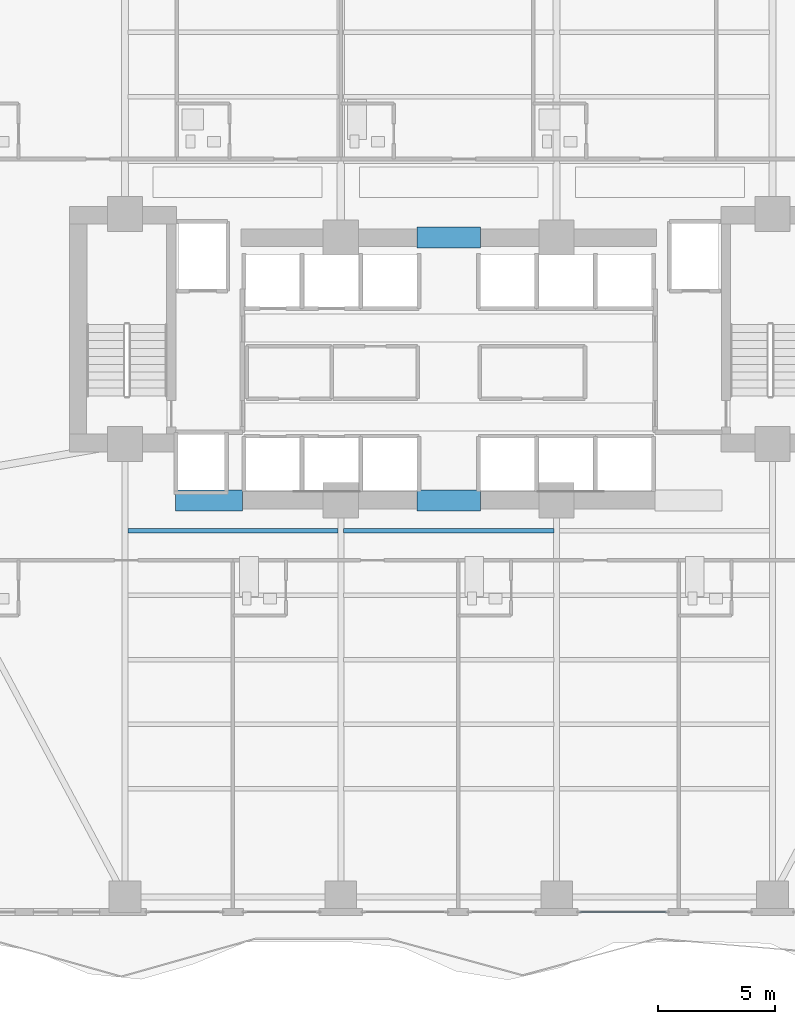
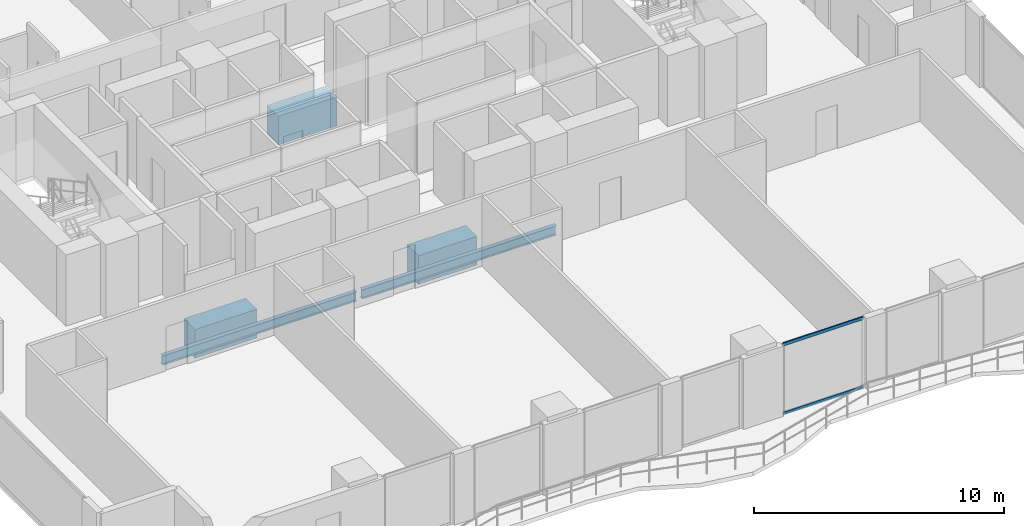
# One storey, part 8 of 27: 5 beams, 2 members, 1 element without a shape of its own.
"""IFC4 building model written with IfcOpenShell, lengths in metres."""

import ifcopenshell
import ifcopenshell.guid

model = None  # the IFC model being written
_history = None  # IfcOwnerHistory: only IFC2X3 demands one
_inside = {}  # id of a spatial element -> (the spatial element, [elements in it])
_under = {}  # id of a project, library or spatial element -> (it, [spatial elements below it])
_declared = {}  # id of a project -> (the project, [libraries it declares])
_typed = {}  # id of a type object -> (the type object, [elements of that type])
_made_of = {}  # id of a material, layer set ... -> (it, [elements and type objects made of it])


def new_model(schema):
    """Start an empty IFC model of exactly this schema.

    Asked for "IFC4X3", IfcOpenShell would pick the latest addendum, in which some entities
    have other attributes; the version numbers below select the first issue.
    IFC2X3 requires an IfcOwnerHistory on every rooted entity: one is made here for all.
    """
    global model, _history
    if schema == "IFC4X3":
        model = ifcopenshell.file(schema_version=(4, 3, 0, 0))
    else:
        model = ifcopenshell.file(schema=schema)
    _inside.clear()
    _under.clear()
    _declared.clear()
    _typed.clear()
    _made_of.clear()
    _history = None
    if model.schema == "IFC2X3":
        org = make("IfcOrganization", Name="unknown")
        user = make(
            "IfcPersonAndOrganization",
            ThePerson=make("IfcPerson", FamilyName="unknown"),
            TheOrganization=org,
        )
        app = make(
            "IfcApplication",
            ApplicationDeveloper=org,
            Version="unknown",
            ApplicationFullName="unknown",
            ApplicationIdentifier="unknown",
        )
        _history = make(
            "IfcOwnerHistory",
            OwningUser=user,
            OwningApplication=app,
            ChangeAction="ADDED",
            CreationDate=0,
        )
    return model


def make(cls, **values):
    """One entity of the class cls with the attributes given. An attribute that is None is left unset."""
    return model.create_entity(
        cls, **{name: value for name, value in values.items() if value is not None}
    )


def rooted(cls, **values):
    """An entity with a GlobalId (a new one), such as an element, a storey or a relation."""
    return make(cls, GlobalId=ifcopenshell.guid.new(), OwnerHistory=_history, **values)


def si_unit(unit_type, name, prefix=None):
    """IfcSIUnit, for example si_unit("LENGTHUNIT", "METRE", prefix="MILLI")."""
    return make("IfcSIUnit", UnitType=unit_type, Prefix=prefix, Name=name)


def assignment(units):
    """IfcUnitAssignment: the units of a project."""
    return None if units is None else make("IfcUnitAssignment", Units=units)


def point(xyz):
    """IfcCartesianPoint."""
    return None if xyz is None else make("IfcCartesianPoint", Coordinates=xyz)


def direction(xyz):
    """IfcDirection."""
    return None if xyz is None else make("IfcDirection", DirectionRatios=xyz)


def frame(location, z_axis=None, x_axis=None):
    """IfcAxis2Placement3D, a coordinate frame: its origin and axes. An axis left out is left unset."""
    return make(
        "IfcAxis2Placement3D",
        Location=point(location),
        Axis=direction(z_axis),
        RefDirection=direction(x_axis),
    )


def frame_2d(location, x_axis=None):
    """IfcAxis2Placement2D, a coordinate frame in the plane: its origin and x axis."""
    return make(
        "IfcAxis2Placement2D", Location=point(location), RefDirection=direction(x_axis)
    )


def origin():
    """The frame at (0, 0, 0) with its axes left unset."""
    return frame((0.0, 0.0, 0.0))


def origin_2d():
    """The frame at (0, 0) in the plane with its x axis left unset."""
    return frame_2d((0.0, 0.0))


def place(relative_to, where):
    """IfcLocalPlacement: puts the frame where relative to a parent placement (None: the world)."""
    return make(
        "IfcLocalPlacement", PlacementRelTo=relative_to, RelativePlacement=where
    )


def context(
    kind, dimensions, precision=None, world=None, true_north=None, identifier=None
):
    """IfcGeometricRepresentationContext, for example the 3D "Model" context."""
    return make(
        "IfcGeometricRepresentationContext",
        ContextIdentifier=identifier,
        ContextType=kind,
        CoordinateSpaceDimension=dimensions,
        Precision=precision,
        WorldCoordinateSystem=world,
        TrueNorth=true_north,
    )


def subcontext(parent, identifier, kind, view, scale=None):
    """IfcGeometricRepresentationSubContext, for example "Body" below "Model"."""
    return make(
        "IfcGeometricRepresentationSubContext",
        ContextIdentifier=identifier,
        ContextType=kind,
        ParentContext=parent,
        TargetScale=scale,
        TargetView=view,
    )


def project(units=None, contexts=None):
    """IfcProject with its units and contexts."""
    return rooted(
        "IfcProject",
        Name="project",
        RepresentationContexts=contexts,
        UnitsInContext=assignment(units),
    )


def spatial(cls, under=None, at=None, **own):
    """A site, building, storey or space (cls), placed at a placement, below another one or the project."""
    s = rooted(cls, ObjectPlacement=at, **own)
    if under is not None:
        _under.setdefault(under.id(), (under, []))[1].append(s)
    return s


def profile(cls, at=None, kind="AREA", **sizes):
    """A parametric profile (cls). Its sizes go by their IFC names, for example OverallWidth=200.0."""
    return make(cls, ProfileType=kind, Position=at, **sizes)


def rectangle(**sizes):
    """IfcRectangleProfileDef."""
    return profile("IfcRectangleProfileDef", **sizes)


def hollow_rectangle(**sizes):
    """IfcRectangleHollowProfileDef."""
    return profile("IfcRectangleHollowProfileDef", **sizes)


def i_section(**sizes):
    """IfcIShapeProfileDef."""
    return profile("IfcIShapeProfileDef", **sizes)


def extrude(swept, where, along, depth):
    """IfcExtrudedAreaSolid: the profile swept, set in the frame where, extruded along a direction by depth."""
    return make(
        "IfcExtrudedAreaSolid",
        SweptArea=swept,
        Position=where,
        ExtrudedDirection=direction(along),
        Depth=depth,
    )


def shape(context_of_items, identifier, shape_type, items):
    """IfcShapeRepresentation: the items that make up one representation, for example the "Body"."""
    return make(
        "IfcShapeRepresentation",
        ContextOfItems=context_of_items,
        RepresentationIdentifier=identifier,
        RepresentationType=shape_type,
        Items=items,
    )


def material(Name=None, Category=None):
    """IfcMaterial."""
    return make("IfcMaterial", Name=Name, Category=Category)


def layer(
    of_material, thickness, ventilated=None, Name=None, Category=None, Priority=None
):
    """IfcMaterialLayer: one layer of a wall or slab, of a material (None: an air gap)."""
    return make(
        "IfcMaterialLayer",
        Material=of_material,
        LayerThickness=thickness,
        IsVentilated=ventilated,
        Name=Name,
        Category=Category,
        Priority=Priority,
    )


def layer_set(layers, Name=None):
    """IfcMaterialLayerSet."""
    return make("IfcMaterialLayerSet", MaterialLayers=layers, LayerSetName=Name)


def material_profile(
    of_material, cross_section, Name=None, Category=None, Priority=None
):
    """IfcMaterialProfile: a cross section and its material."""
    return make(
        "IfcMaterialProfile",
        Name=Name,
        Material=of_material,
        Profile=cross_section,
        Priority=Priority,
        Category=Category,
    )


def profile_set(profiles, Name=None, composite=None):
    """IfcMaterialProfileSet."""
    return make(
        "IfcMaterialProfileSet",
        Name=Name,
        MaterialProfiles=profiles,
        CompositeProfile=composite,
    )


def made_of(thing, what):
    """Note that an element or type object is made of a material, layer set ...; save() writes the relation."""
    if what is not None:
        _made_of.setdefault(what.id(), (what, []))[1].append(thing)
    return thing


def type_object(cls, material=None, **own):
    """A type object (cls), such as IfcWallType, which elements share."""
    return made_of(rooted(cls, **own), material)


def element(
    cls,
    number,
    at=None,
    inside=None,
    cuts=None,
    type_object=None,
    material=None,
    context=None,
    identifier="Body",
    shape_type=None,
    held_by="IfcProductDefinitionShape",
    body=None,
    shapes=None,
    **own,
):
    """One element of the class cls, such as IfcWall. Its Tag is "e" and its number.

    at: its placement. inside: the storey or other place that contains it. cuts: it is an
    opening in that element (IfcRelVoidsElement). A single representation is given by context,
    identifier, shape_type and body (its items); several are given by shapes. held_by: the class
    of the entity that holds the representations. save() writes the other relations.
    """
    e = rooted(cls, Tag="e%d" % number, ObjectPlacement=at, **own)
    if body is not None:
        shapes = [shape(context, identifier, shape_type, body)]
    if shapes is not None:
        e.Representation = make(held_by, Representations=shapes)
    if inside is not None:
        _inside.setdefault(inside.id(), (inside, []))[1].append(e)
    if cuts is not None:
        rooted(
            "IfcRelVoidsElement", RelatingBuildingElement=cuts, RelatedOpeningElement=e
        )
    if type_object is not None:
        _typed.setdefault(type_object.id(), (type_object, []))[1].append(e)
    return made_of(e, material)


def aggregate(whole, parts):
    """IfcRelAggregates: a whole, such as a stair, and the parts it consists of."""
    return rooted("IfcRelAggregates", RelatingObject=whole, RelatedObjects=parts)


def save(model, path):
    """Write the relations noted so far, then the file.

    IfcRelAggregates (storeys below a building ...), IfcRelContainedInSpatialStructure (elements
    in a storey), IfcRelDefinesByType, IfcRelAssociatesMaterial and IfcRelDeclares: one each for
    every whole, place, type object, material and project.
    """
    for whole, parts in _under.values():
        aggregate(whole, parts)
    for where, things in _inside.values():
        rooted(
            "IfcRelContainedInSpatialStructure",
            RelatedElements=things,
            RelatingStructure=where,
        )
    for kind, things in _typed.values():
        rooted("IfcRelDefinesByType", RelatedObjects=things, RelatingType=kind)
    for what, things in _made_of.values():
        rooted("IfcRelAssociatesMaterial", RelatedObjects=things, RelatingMaterial=what)
    for by, libraries in _declared.values():
        rooted("IfcRelDeclares", RelatingContext=by, RelatedDefinitions=libraries)
    model.write(path)


model = new_model("IFC4")

# Units and contexts
model_context = context("Model", 3, precision=1e-05, world=origin(), true_north=direction((0.0, 1.0)))
body_context = subcontext(model_context, "Body", "Model", "MODEL_VIEW")
ifc_project = project(units=[si_unit("LENGTHUNIT", "METRE"), si_unit("AREAUNIT", "SQUARE_METRE"), si_unit("VOLUMEUNIT", "CUBIC_METRE"), si_unit("PLANEANGLEUNIT", "RADIAN"), si_unit("MASSUNIT", "GRAM", prefix="KILO")], contexts=[model_context])

# Site, building, storey
site_placement = place(None, origin())
site = spatial("IfcSite", under=ifc_project, at=site_placement, CompositionType="ELEMENT")
building_placement = place(site_placement, origin())
building = spatial("IfcBuilding", under=site, at=building_placement, Name="Zuhayl Quay Hotel", CompositionType="ELEMENT")
storey_placement = place(building_placement, frame((0.0, 0.0, 124.85009765625)))
storey = spatial("IfcBuildingStorey", under=building, at=storey_placement, Name="L31", CompositionType="ELEMENT", Elevation=124.85009765625)

# Beams
ifc_material_1 = material(Name="Concrete C60/75", Category="concrete")
ifc_material_profile_1 = material_profile(ifc_material_1, rectangle(XDim=0.89990234375, YDim=1.39990234375, at=origin_2d()), Name="RC900X1400")
ifc_profile_set_1 = profile_set([ifc_material_profile_1], Name="Concrete C60/75")
beam_type_1 = type_object("IfcBeamType", Name="BM_CB1_RC900", PredefinedType="T_BEAM", material=ifc_profile_set_1)
beam_placement = place(storey_placement, frame((-11.64990234375, 2.14990234375, -0.920166015625), z_axis=(1.0, 0.0, 0.0), x_axis=(0.0, 1.0, 0.0)))
element("IfcBeam", 1, at=beam_placement, inside=storey, type_object=beam_type_1, Name="L31 Core Coupling Beam SW", PredefinedType="T_BEAM", context=body_context, shape_type="SweptSolid", body=[
    extrude(rectangle(XDim=0.89990234375, YDim=1.39990234375, at=origin_2d()), origin(), (0.0, 0.0, 1.0), 2.849853515625),
])
for number, where, z_axis, x_axis, name in (
    (2, (-1.35009765625, 13.35009765625, -0.920166015625), (1.0, 0.0, 0.0), (0.0, 1.0, 0.0), "L31 Core Coupling Beam North"),
    (3, (-1.35009765625, 2.14990234375, -0.920166015625), (1.0, 0.0, 0.0), (0.0, 1.0, 0.0), "L31 Core Coupling Beam South"),
):
    element("IfcBeam", number, at=place(storey_placement, frame(where, z_axis=z_axis, x_axis=x_axis)), inside=storey, type_object=beam_type_1, Name=name, PredefinedType="T_BEAM", context=body_context, shape_type="SweptSolid", body=[
        extrude(rectangle(XDim=0.89990234375, YDim=1.39990234375, at=origin_2d()), origin(), (0.0, 0.0, 1.0), 2.7001953125),
    ])
ifc_material_2 = material(Name="Steel ASTM A992 Grade 50", Category="steel")
ifc_material_profile_2 = material_profile(ifc_material_2, i_section(OverallWidth=0.18994140625, OverallDepth=0.45703125, WebThickness=0.009033203125, FlangeThickness=0.014404296875, at=origin_2d()), Name="W18X50")
ifc_profile_set_2 = profile_set([ifc_material_profile_2], Name="Steel ASTM A992 Grade 50")
beam_type_2 = type_object("IfcBeamType", Name="BM_J2_W18X50", PredefinedType="JOIST", material=ifc_profile_set_2)
for number, where, z_axis, x_axis, name in (
    (4, (-13.680908203125, 0.85009765625, -0.448486328125), (1.0, 0.0, 0.0), (0.0, 1.0, 0.0), "L31 Floor Beam FJ_L31_9_1"),
    (5, (-4.48095703125, 0.85009765625, -0.448486328125), (1.0, 0.0, 0.0), (0.0, 1.0, 0.0), "L31 Floor Beam FJ_L31_9_2"),
):
    element("IfcBeam", number, at=place(storey_placement, frame(where, z_axis=z_axis, x_axis=x_axis)), inside=storey, type_object=beam_type_2, Name=name, PredefinedType="JOIST", context=body_context, shape_type="SweptSolid", body=[
        extrude(i_section(OverallWidth=0.18994140625, OverallDepth=0.45703125, WebThickness=0.009033203125, FlangeThickness=0.014404296875, at=origin_2d()), origin(), (0.0, 0.0, 1.0), 8.9619140625),
    ])

# Curtain wall, members
ifc_material_3 = material(Name="Anodised Aluminium 6063-T6", Category="aluminium")
ifc_layer = layer(ifc_material_3, 0.179931640625, Name="Anodised Aluminium 6063-T6", Category="aluminium")
ifc_layer_set = layer_set([ifc_layer], Name="Anodised Aluminium 6063-T6")
curtain_wall_type = type_object("IfcCurtainWallType", Name="CW_SYS_Z2", PredefinedType="USERDEFINED", material=ifc_layer_set)
curtain_wall_placement = place(storey_placement, origin())
curtain_wall = element("IfcCurtainWall", 6, at=curtain_wall_placement, inside=storey, type_object=curtain_wall_type, Name="L31 Curtain Wall ENV_L31_S_CW3", ObjectType="UNITISED CURTAIN WALL", PredefinedType="USERDEFINED")
ifc_material_4 = material(Name="Black-anodised aluminium 6063-T6", Category="aluminium")
ifc_material_profile_3 = material_profile(ifc_material_4, hollow_rectangle(XDim=0.06005859375, YDim=0.14990234375, WallThickness=0.00341796875, at=origin_2d()), Name="ALU150X60")
ifc_profile_set_3 = profile_set([ifc_material_profile_3], Name="Black-anodised aluminium 6063-T6")
member_type = type_object("IfcMemberType", Name="MB_CW_TRN_150", PredefinedType="USERDEFINED", material=ifc_profile_set_3)
member_1_placement = place(storey_placement, frame((9.284912109375, -15.39990234375, 0.02978515625), z_axis=(-1.0, 0.0, 0.0), x_axis=(0.0, -1.0, 0.0)))
member_1 = element("IfcMember", 7, at=member_1_placement, type_object=member_type, Name="CW-Z2 transom 1.1", ObjectType="TRANSOM", PredefinedType="USERDEFINED", context=body_context, shape_type="SweptSolid", body=[
    extrude(hollow_rectangle(XDim=0.06005859375, YDim=0.14990234375, WallThickness=0.00341796875, at=origin_2d()), origin(), (0.0, 0.0, 1.0), 3.699951171875),
])
member_2_placement = place(storey_placement, frame((9.284912109375, -15.39990234375, 3.39990234375), z_axis=(-1.0, 0.0, 0.0), x_axis=(0.0, -1.0, 0.0)))
member_2 = element("IfcMember", 8, at=member_2_placement, type_object=member_type, Name="CW-Z2 transom 1.2", ObjectType="TRANSOM", PredefinedType="USERDEFINED", context=body_context, shape_type="SweptSolid", body=[
    extrude(hollow_rectangle(XDim=0.06005859375, YDim=0.14990234375, WallThickness=0.00341796875, at=origin_2d()), origin(), (0.0, 0.0, 1.0), 3.699951171875),
])
aggregate(curtain_wall, [member_1, member_2])

save(model, "model.ifc")
